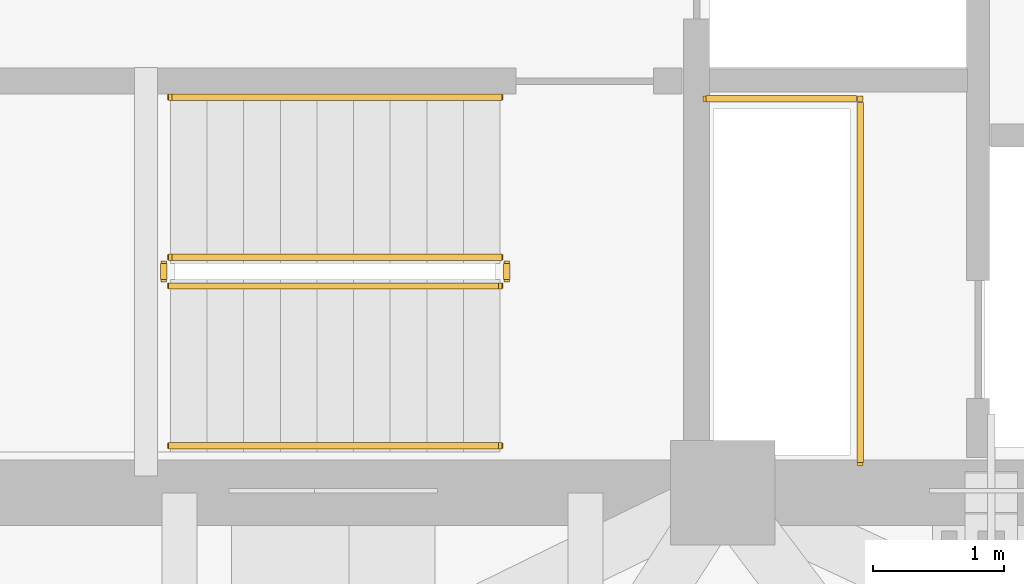
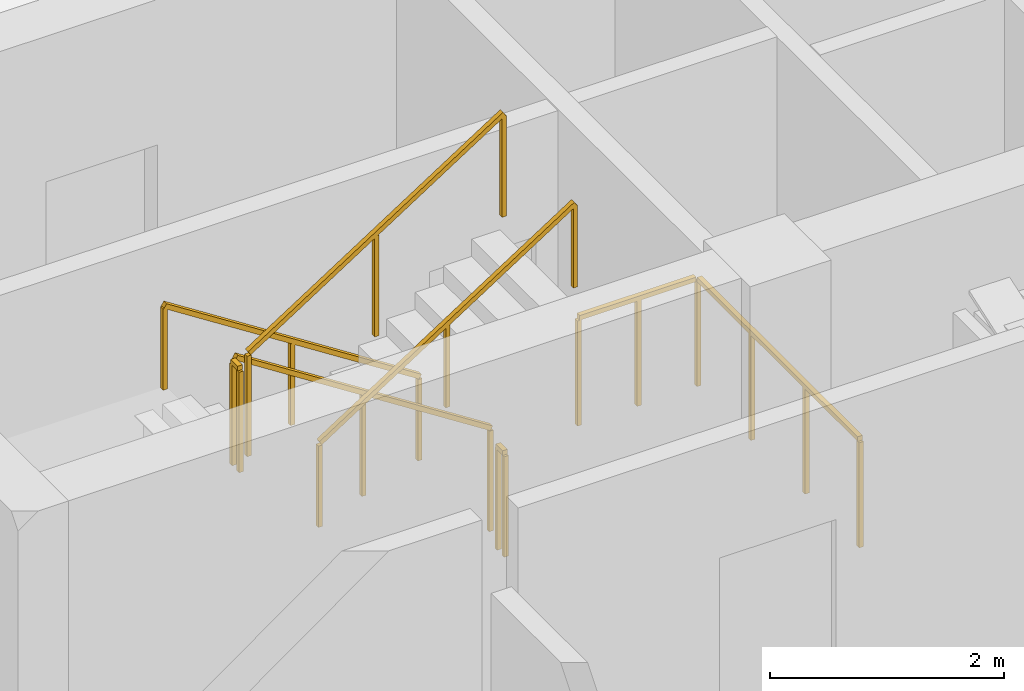
# One storey, part 9 of 12: 7 railings.
"""IFC4 building model written with IfcOpenShell, lengths in metres."""

from ifc_helpers import new_model, si_unit, direction, frame, origin, origin_2d, place, context, subcontext, project, spatial, rectangle, extrude, material, type_object, element, save


model = new_model("IFC4")

# Units and contexts
model_context = context("Model", 3, precision=1e-05, world=origin(), true_north=direction((0.0, 1.0)))
body_context = subcontext(model_context, "Body", "Model", "MODEL_VIEW")
ifc_project = project(units=[si_unit("LENGTHUNIT", "METRE"), si_unit("AREAUNIT", "SQUARE_METRE"), si_unit("VOLUMEUNIT", "CUBIC_METRE"), si_unit("PLANEANGLEUNIT", "RADIAN"), si_unit("MASSUNIT", "GRAM", prefix="KILO")], contexts=[model_context])

# Site, building, storey
site_placement = place(None, origin())
site = spatial("IfcSite", under=ifc_project, at=site_placement, CompositionType="ELEMENT")
building_placement = place(site_placement, origin())
building = spatial("IfcBuilding", under=site, at=building_placement, Name="Qhalaya Broadcast Tower", CompositionType="ELEMENT")
storey_placement = place(building_placement, frame((0.0, 0.0, 187.949951171875)))
storey = spatial("IfcBuildingStorey", under=building, at=storey_placement, Name="L55", CompositionType="ELEMENT", Elevation=187.949951171875)

# Railings
ifc_material = material(Name="Powder-Coated Galvanised Steel", Category="steel")
railing_type_1 = type_object("IfcRailingType", Name="Stair Wall Handrail 900", PredefinedType="HANDRAIL", material=ifc_material)
railing_1_placement = place(storey_placement, frame((-3.75, -5.72998046875, 0.179931640625)))
element("IfcRailing", 1, at=railing_1_placement, inside=storey, type_object=railing_type_1, Name="L55 ST-2 Stair Handrail 1", PredefinedType="HANDRAIL", context=body_context, shape_type="SweptSolid", body=[
    extrude(rectangle(XDim=0.048095703125, YDim=0.048095703125, at=origin_2d()), frame((0.0, 0.0, 0.8759765625), z_axis=(-0.841162588446, 0.0, 0.540782303519), x_axis=(0.0, -1.0, 0.0)), (0.0, 0.0, 1.0), 2.995849609375),
    extrude(rectangle(XDim=0.0419921875, YDim=0.0419921875, at=origin_2d()), origin(), (0.0, 0.0, 1.0), 0.849853515625),
    extrude(rectangle(XDim=0.0419921875, YDim=0.0419921875, at=origin_2d()), frame((-1.260009765625, 0.0, 0.81005859375)), (0.0, 0.0, 1.0), 0.849853515625),
    extrude(rectangle(XDim=0.0419921875, YDim=0.0419921875, at=origin_2d()), frame((-2.52001953125, 0.0, 1.6201171875)), (0.0, 0.0, 1.0), 0.849853515625),
])
railing_2_placement = place(storey_placement, frame((-6.27001953125, -8.389892578125, 1.97998046875)))
element("IfcRailing", 2, at=railing_2_placement, inside=storey, type_object=railing_type_1, Name="L55 ST-2 Stair Handrail 2", PredefinedType="HANDRAIL", context=body_context, shape_type="SweptSolid", body=[
    extrude(rectangle(XDim=0.048095703125, YDim=0.048095703125, at=origin_2d()), frame((0.0, 0.0, 0.8759765625), z_axis=(0.841162588446, 0.0, 0.540782303519), x_axis=(0.0, 1.0, 0.0)), (0.0, 0.0, 1.0), 2.995849609375),
    extrude(rectangle(XDim=0.0419921875, YDim=0.0419921875, at=origin_2d()), origin(), (0.0, 0.0, 1.0), 0.849853515625),
    extrude(rectangle(XDim=0.0419921875, YDim=0.0419921875, at=origin_2d()), frame((1.260009765625, 0.0, 0.81005859375)), (0.0, 0.0, 1.0), 0.849853515625),
    extrude(rectangle(XDim=0.0419921875, YDim=0.0419921875, at=origin_2d()), frame((2.52001953125, 0.0, 1.6201171875)), (0.0, 0.0, 1.0), 0.849853515625),
])
railing_type_2 = type_object("IfcRailingType", Name="Stair Well & Landing Guardrail 1100", PredefinedType="GUARDRAIL", material=ifc_material)
railing_3_placement = place(storey_placement, frame((-1.0, -8.52001953125, 0.0)))
element("IfcRailing", 3, at=railing_3_placement, inside=storey, type_object=railing_type_2, Name="L55 Service Riser Opening Safety Guard SRSR", PredefinedType="GUARDRAIL", context=body_context, shape_type="SweptSolid", body=[
    extrude(rectangle(XDim=0.048095703125, YDim=0.048095703125, at=origin_2d()), frame((0.0, 0.0, 1.1259765625), z_axis=(0.0, 1.0, 0.0), x_axis=(-1.0, 0.0, 0.0)), (0.0, 0.0, 1.0), 2.751220703125),
    extrude(rectangle(XDim=0.048095703125, YDim=0.048095703125, at=origin_2d()), frame((-0.02880859375, 2.780029296875, 1.1259765625), z_axis=(-1.0, 0.0, 0.0), x_axis=(0.0, -1.0, 0.0)), (0.0, 0.0, 1.0), 1.151123046875),
    extrude(rectangle(XDim=0.0419921875, YDim=0.0419921875, at=origin_2d()), origin(), (0.0, 0.0, 1.0), 1.099853515625),
    extrude(rectangle(XDim=0.0419921875, YDim=0.0419921875, at=origin_2d()), frame((0.0, 0.9267578125, 0.0)), (0.0, 0.0, 1.0), 1.099853515625),
    extrude(rectangle(XDim=0.0419921875, YDim=0.0419921875, at=origin_2d()), frame((0.0, 1.853271484375, 0.0)), (0.0, 0.0, 1.0), 1.099853515625),
    extrude(rectangle(XDim=0.0419921875, YDim=0.0419921875, at=origin_2d()), frame((0.0, 2.780029296875, 0.0)), (0.0, 0.0, 1.0), 1.099853515625),
    extrude(rectangle(XDim=0.0419921875, YDim=0.0419921875, at=origin_2d()), frame((-0.58984375, 2.780029296875, 0.0)), (0.0, 0.0, 1.0), 1.099853515625),
    extrude(rectangle(XDim=0.0419921875, YDim=0.0419921875, at=origin_2d()), frame((-1.179931640625, 2.780029296875, 0.0)), (0.0, 0.0, 1.0), 1.099853515625),
])
railing_4_placement = place(storey_placement, frame((-3.75, -6.949951171875, 0.179931640625)))
element("IfcRailing", 4, at=railing_4_placement, inside=storey, type_object=railing_type_2, Name="L55 ST-2 Stair Guard 1", PredefinedType="GUARDRAIL", context=body_context, shape_type="SweptSolid", body=[
    extrude(rectangle(XDim=0.048095703125, YDim=0.048095703125, at=origin_2d()), frame((0.0, 0.0, 1.076171875), z_axis=(-0.841162588446, 0.0, 0.540782303519), x_axis=(0.0, -1.0, 0.0)), (0.0, 0.0, 1.0), 2.995849609375),
    extrude(rectangle(XDim=0.0419921875, YDim=0.0419921875, at=origin_2d()), origin(), (0.0, 0.0, 1.0), 1.050048828125),
    extrude(rectangle(XDim=0.0419921875, YDim=0.0419921875, at=origin_2d()), frame((-1.260009765625, 0.0, 0.81005859375)), (0.0, 0.0, 1.0), 1.050048828125),
    extrude(rectangle(XDim=0.0419921875, YDim=0.0419921875, at=origin_2d()), frame((-2.52001953125, 0.0, 1.6201171875)), (0.0, 0.0, 1.0), 1.050048828125),
])
railing_5_placement = place(storey_placement, frame((-6.320068359375, -7.0, 1.800048828125)))
element("IfcRailing", 5, at=railing_5_placement, inside=storey, type_object=railing_type_2, Name="L55 ST-2 Stair Guard 2", PredefinedType="GUARDRAIL", context=body_context, shape_type="SweptSolid", body=[
    extrude(rectangle(XDim=0.048095703125, YDim=0.048095703125, at=origin_2d()), frame((0.0, 0.0, 1.076171875), z_axis=(0.0, -1.0, 0.0), x_axis=(1.0, 0.0, 0.0)), (0.0, 0.0, 1.0), 0.1201171875),
    extrude(rectangle(XDim=0.0419921875, YDim=0.0419921875, at=origin_2d()), origin(), (0.0, 0.0, 1.0), 1.050048828125),
    extrude(rectangle(XDim=0.0419921875, YDim=0.0419921875, at=origin_2d()), frame((0.0, -0.1201171875, 0.0)), (0.0, 0.0, 1.0), 1.050048828125),
])
railing_6_placement = place(storey_placement, frame((-6.27001953125, -7.169921875, 1.97998046875)))
element("IfcRailing", 6, at=railing_6_placement, inside=storey, type_object=railing_type_2, Name="L55 ST-2 Stair Guard 3", PredefinedType="GUARDRAIL", context=body_context, shape_type="SweptSolid", body=[
    extrude(rectangle(XDim=0.048095703125, YDim=0.048095703125, at=origin_2d()), frame((0.0, 0.0, 1.076171875), z_axis=(0.841162588446, 0.0, 0.540782303519), x_axis=(0.0, 1.0, 0.0)), (0.0, 0.0, 1.0), 2.995849609375),
    extrude(rectangle(XDim=0.0419921875, YDim=0.0419921875, at=origin_2d()), origin(), (0.0, 0.0, 1.0), 1.050048828125),
    extrude(rectangle(XDim=0.0419921875, YDim=0.0419921875, at=origin_2d()), frame((1.260009765625, 0.0, 0.81005859375)), (0.0, 0.0, 1.0), 1.050048828125),
    extrude(rectangle(XDim=0.0419921875, YDim=0.0419921875, at=origin_2d()), frame((2.52001953125, 0.0, 1.6201171875)), (0.0, 0.0, 1.0), 1.050048828125),
])
railing_7_placement = place(storey_placement, frame((-3.699951171875, -7.0, 0.0)))
element("IfcRailing", 7, at=railing_7_placement, inside=storey, type_object=railing_type_2, Name="L55 ST-2 Stair Guard 4", PredefinedType="GUARDRAIL", context=body_context, shape_type="SweptSolid", body=[
    extrude(rectangle(XDim=0.048095703125, YDim=0.048095703125, at=origin_2d()), frame((0.0, 0.0, 1.076171875), z_axis=(0.0, -1.0, 0.0), x_axis=(1.0, 0.0, 0.0)), (0.0, 0.0, 1.0), 0.1201171875),
    extrude(rectangle(XDim=0.0419921875, YDim=0.0419921875, at=origin_2d()), origin(), (0.0, 0.0, 1.0), 1.050048828125),
    extrude(rectangle(XDim=0.0419921875, YDim=0.0419921875, at=origin_2d()), frame((0.0, -0.1201171875, 0.0)), (0.0, 0.0, 1.0), 1.050048828125),
])

save(model, "model.ifc")
